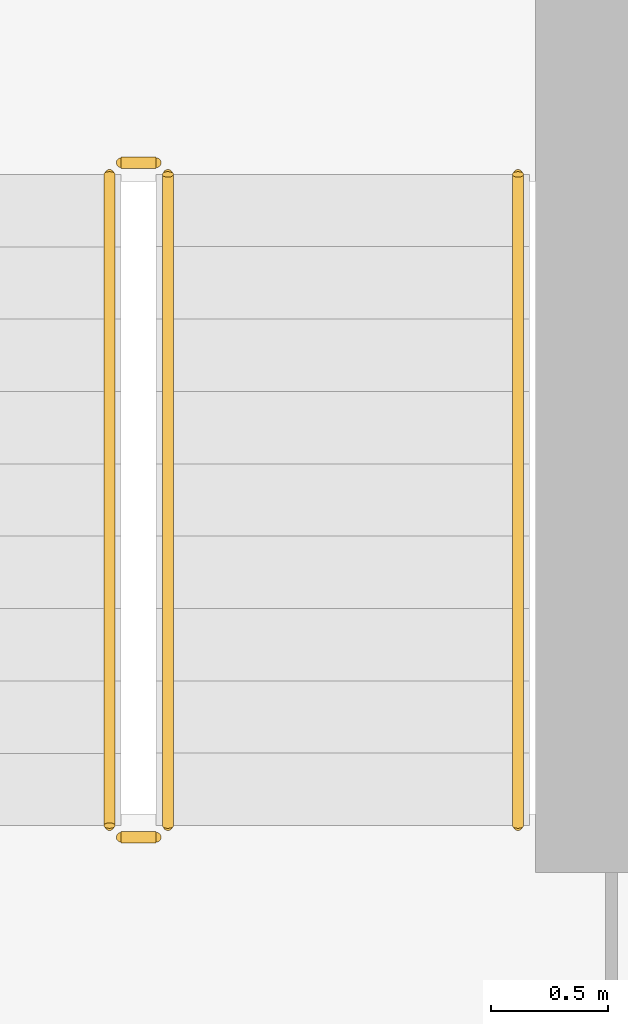
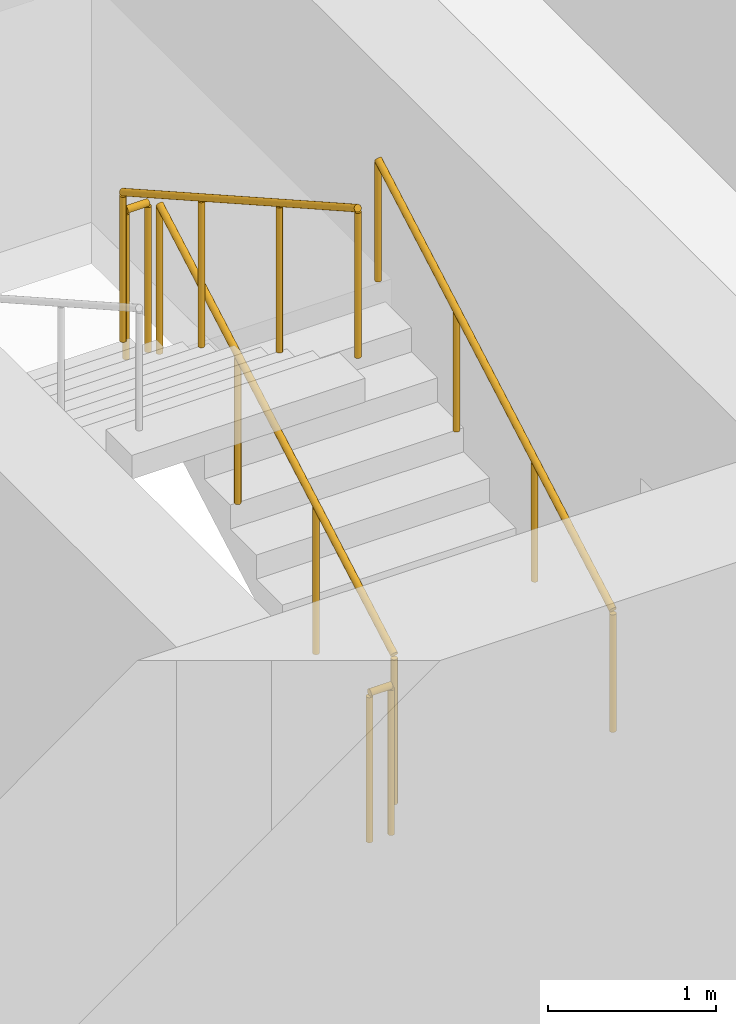
# One storey, part 20 of 22: 5 railings.
"""IFC4 building model written with IfcOpenShell, lengths in metres."""

from ifc_helpers import new_model, si_unit, direction, frame, origin, origin_2d, place, context, subcontext, project, spatial, circle, extrude, material, type_object, element, save


model = new_model("IFC4")

# Units and contexts
model_context = context("Model", 3, precision=1e-05, world=origin(), true_north=direction((0.0, 1.0)))
body_context = subcontext(model_context, "Body", "Model", "MODEL_VIEW")
ifc_project = project(units=[si_unit("LENGTHUNIT", "METRE"), si_unit("AREAUNIT", "SQUARE_METRE"), si_unit("VOLUMEUNIT", "CUBIC_METRE"), si_unit("PLANEANGLEUNIT", "RADIAN"), si_unit("MASSUNIT", "GRAM", prefix="KILO")], contexts=[model_context])

# Site, building, storey
site_placement = place(None, origin())
site = spatial("IfcSite", under=ifc_project, at=site_placement, CompositionType="ELEMENT")
building_placement = place(site_placement, origin())
building = spatial("IfcBuilding", under=site, at=building_placement, Name="Madar Terraces", CompositionType="ELEMENT")
storey_placement = place(building_placement, frame((0.0, 0.0, 59.300048828125)))
storey = spatial("IfcBuildingStorey", under=building, at=storey_placement, Name="L14", CompositionType="ELEMENT", Elevation=59.300048828125)

# Railings
ifc_material_1 = material(Name="Stainless steel railing", Category="steel")
railing_type_1 = type_object("IfcRailingType", Name="Stair guard 1100", PredefinedType="GUARDRAIL", material=ifc_material_1)
railing_1_placement = place(storey_placement, frame((41.449951171875, 17.60009765625, 0.175048828125)))
element("IfcRailing", 1, at=railing_1_placement, inside=storey, type_object=railing_type_1, Name="L14 ST3 stair guard 1", PredefinedType="GUARDRAIL", context=body_context, shape_type="SweptSolid", body=[
    extrude(circle(Radius=0.02392578125, at=origin_2d()), frame((0.0, 0.0, 1.076171875), z_axis=(0.0, 0.870815363784, 0.491610213684), x_axis=(-1.0, 0.0, 0.0)), (0.0, 0.0, 1.0), 3.20361328125),
    extrude(circle(Radius=0.02099609375, at=origin_2d()), origin(), (0.0, 0.0, 1.0), 1.052001953125),
    extrude(circle(Radius=0.02099609375, at=origin_2d()), frame((0.0, 0.929931640625, 0.52490234375)), (0.0, 0.0, 1.0), 1.052001953125),
    extrude(circle(Radius=0.02099609375, at=origin_2d()), frame((0.0, 1.85986328125, 1.050048828125)), (0.0, 0.0, 1.0), 1.052001953125),
    extrude(circle(Radius=0.02099609375, at=origin_2d()), frame((0.0, 2.789794921875, 1.574951171875)), (0.0, 0.0, 1.0), 1.052001953125),
])
railing_2_placement = place(storey_placement, frame((41.39990234375, 20.43994140625, 1.75)))
element("IfcRailing", 2, at=railing_2_placement, inside=storey, type_object=railing_type_1, Name="L14 ST3 stair guard 2", PredefinedType="GUARDRAIL", context=body_context, shape_type="SweptSolid", body=[
    extrude(circle(Radius=0.02392578125, at=origin_2d()), frame((0.0, 0.0, 1.076171875), z_axis=(-1.0, 0.0, 0.0), x_axis=(0.0, -1.0, 0.0)), (0.0, 0.0, 1.0), 0.14990234375),
    extrude(circle(Radius=0.02099609375, at=origin_2d()), origin(), (0.0, 0.0, 1.0), 1.052001953125),
    extrude(circle(Radius=0.02099609375, at=origin_2d()), frame((-0.14990234375, 0.0, 0.0)), (0.0, 0.0, 1.0), 1.052001953125),
])
railing_3_placement = place(storey_placement, frame((41.199951171875, 20.389892578125, 1.925048828125)))
element("IfcRailing", 3, at=railing_3_placement, inside=storey, type_object=railing_type_1, Name="L14 ST3 stair guard 3", PredefinedType="GUARDRAIL", context=body_context, shape_type="SweptSolid", body=[
    extrude(circle(Radius=0.02392578125, at=origin_2d()), frame((0.0, 0.0, 1.076171875), z_axis=(0.0, -0.870815363784, 0.491610213684), x_axis=(1.0, 0.0, 0.0)), (0.0, 0.0, 1.0), 3.20361328125),
    extrude(circle(Radius=0.02099609375, at=origin_2d()), origin(), (0.0, 0.0, 1.0), 1.052001953125),
    extrude(circle(Radius=0.02099609375, at=origin_2d()), frame((0.0, -0.929931640625, 0.52490234375)), (0.0, 0.0, 1.0), 1.052001953125),
    extrude(circle(Radius=0.02099609375, at=origin_2d()), frame((0.0, -1.85986328125, 1.050048828125)), (0.0, 0.0, 1.0), 1.052001953125),
    extrude(circle(Radius=0.02099609375, at=origin_2d()), frame((0.0, -2.789794921875, 1.574951171875)), (0.0, 0.0, 1.0), 1.052001953125),
])
railing_4_placement = place(storey_placement, frame((41.39990234375, 17.550048828125, 0.0)))
element("IfcRailing", 4, at=railing_4_placement, inside=storey, type_object=railing_type_1, Name="L14 ST3 stair guard 4", PredefinedType="GUARDRAIL", context=body_context, shape_type="SweptSolid", body=[
    extrude(circle(Radius=0.02392578125, at=origin_2d()), frame((0.0, 0.0, 1.076171875), z_axis=(-1.0, 0.0, 0.0), x_axis=(0.0, -1.0, 0.0)), (0.0, 0.0, 1.0), 0.14990234375),
    extrude(circle(Radius=0.02099609375, at=origin_2d()), origin(), (0.0, 0.0, 1.0), 1.052001953125),
    extrude(circle(Radius=0.02099609375, at=origin_2d()), frame((-0.14990234375, 0.0, 0.0)), (0.0, 0.0, 1.0), 1.052001953125),
])
ifc_material_2 = material(Name="Stainless steel railing", Category="steel")
railing_type_2 = type_object("IfcRailingType", Name="Stair handrail 900", PredefinedType="HANDRAIL", material=ifc_material_2)
railing_5_placement = place(storey_placement, frame((42.949951171875, 17.60009765625, 0.175048828125)))
element("IfcRailing", 5, at=railing_5_placement, inside=storey, type_object=railing_type_2, Name="L14 ST3 stair handrail 1", PredefinedType="HANDRAIL", context=body_context, shape_type="SweptSolid", body=[
    extrude(circle(Radius=0.02392578125, at=origin_2d()), frame((0.0, 0.0, 0.8759765625), z_axis=(0.0, 0.870815363784, 0.491610213684), x_axis=(-1.0, 0.0, 0.0)), (0.0, 0.0, 1.0), 3.20361328125),
    extrude(circle(Radius=0.02099609375, at=origin_2d()), origin(), (0.0, 0.0, 1.0), 0.851806640625),
    extrude(circle(Radius=0.02099609375, at=origin_2d()), frame((0.0, 0.929931640625, 0.52490234375)), (0.0, 0.0, 1.0), 0.851806640625),
    extrude(circle(Radius=0.02099609375, at=origin_2d()), frame((0.0, 1.85986328125, 1.050048828125)), (0.0, 0.0, 1.0), 0.851806640625),
    extrude(circle(Radius=0.02099609375, at=origin_2d()), frame((0.0, 2.789794921875, 1.574951171875)), (0.0, 0.0, 1.0), 0.851806640625),
])

save(model, "model.ifc")
